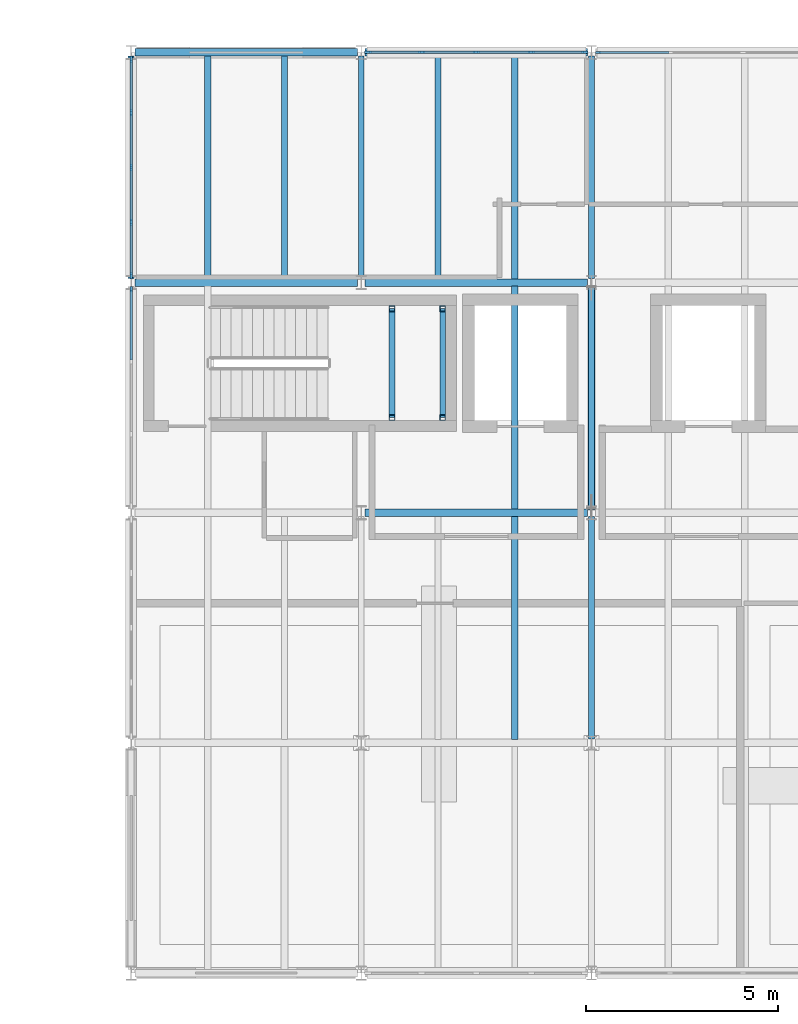
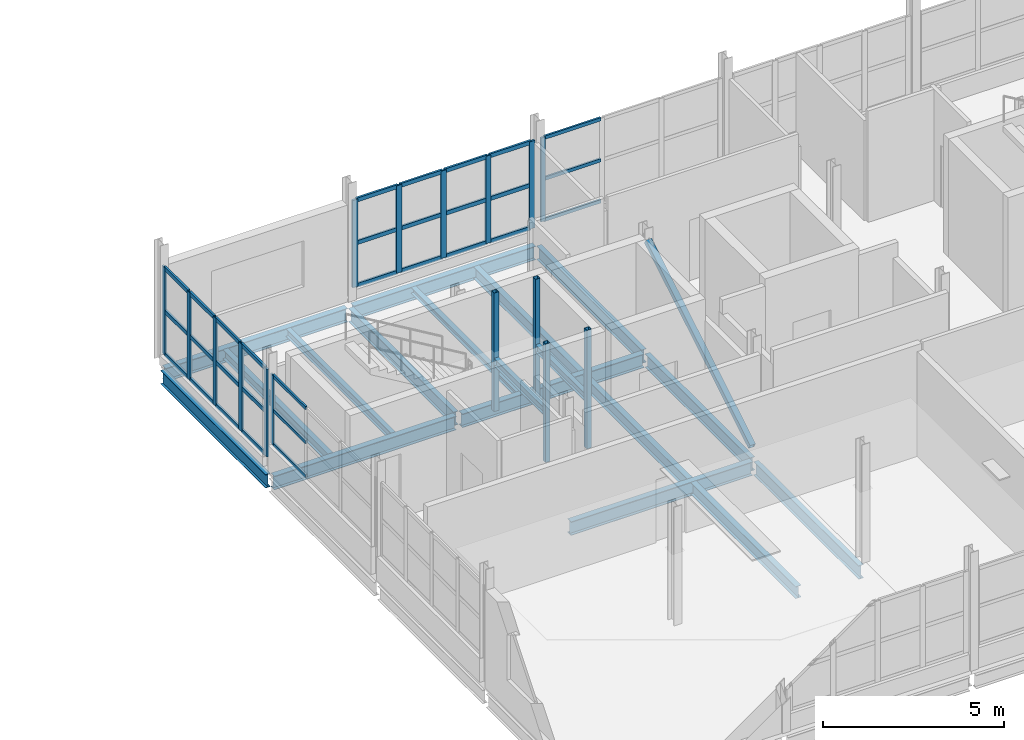
# One storey, part 7 of 23: 47 members, 18 beams, 4 elements without a shape of their own.
"""IFC4 building model written with IfcOpenShell, lengths in metres."""

from ifc_helpers import new_model, si_unit, direction, frame, origin, origin_2d, place, context, subcontext, project, spatial, rectangle, hollow_rectangle, i_section, extrude, material, material_profile, profile_set, type_object, element, aggregate, save


model = new_model("IFC4")

# Units and contexts
model_context = context("Model", 3, precision=1e-05, world=origin(), true_north=direction((0.0, 1.0)))
body_context = subcontext(model_context, "Body", "Model", "MODEL_VIEW")
ifc_project = project(units=[si_unit("LENGTHUNIT", "METRE"), si_unit("AREAUNIT", "SQUARE_METRE"), si_unit("VOLUMEUNIT", "CUBIC_METRE"), si_unit("PLANEANGLEUNIT", "RADIAN"), si_unit("MASSUNIT", "GRAM", prefix="KILO")], contexts=[model_context])

# Site, building, storey
site_placement = place(None, origin())
site = spatial("IfcSite", under=ifc_project, at=site_placement, CompositionType="ELEMENT")
building_placement = place(site_placement, origin())
building = spatial("IfcBuilding", under=site, at=building_placement, Name="Siltcreek Boulevard Central Fire Station", CompositionType="ELEMENT")
storey_placement = place(building_placement, frame((0.0, 0.0, 14.0)))
storey = spatial("IfcBuildingStorey", under=building, at=storey_placement, Name="L04", CompositionType="ELEMENT", Elevation=14.0)

# Beams
ifc_material_1 = material(Name="Structural steel ASTM A992 Gr50", Category="steel")
ifc_material_profile_1 = material_profile(ifc_material_1, i_section(OverallWidth=0.154052734375, OverallDepth=0.458984375, WebThickness=0.009033203125, FlangeThickness=0.015380859375, at=origin_2d()), Name="W460X68")
ifc_profile_set_1 = profile_set([ifc_material_profile_1], Name="Structural steel ASTM A992 Gr50")
beam_type_1 = type_object("IfcBeamType", Name="BM_W460X68", PredefinedType="BEAM", material=ifc_profile_set_1)
for number, where, z_axis, x_axis, name in (
    (1, (124.199951171875, 106.300048828125, -0.489501953125), (0.0, 1.0, 0.0), (-1.0, 0.0, 0.0), "L04 primary steel girder GY-0571"),
    (2, (130.199951171875, 106.300048828125, -0.489501953125), (0.0, 1.0, 0.0), (-1.0, 0.0, 0.0), "L04 primary steel girder GY-0574"),
    (3, (136.199951171875, 94.300048828125, -0.489501953125), (0.0, 1.0, 0.0), (-1.0, 0.0, 0.0), "L04 primary steel girder GY-0576"),
    (4, (136.199951171875, 100.300048828125, -0.489501953125), (0.0, 1.0, 0.0), (-1.0, 0.0, 0.0), "L04 primary steel girder GY-0577"),
    (5, (136.199951171875, 106.300048828125, -0.489501953125), (0.0, 1.0, 0.0), (-1.0, 0.0, 0.0), "L04 primary steel girder GY-0578"),
):
    element("IfcBeam", number, at=place(storey_placement, frame(where, z_axis=z_axis, x_axis=x_axis)), inside=storey, type_object=beam_type_1, Name=name, PredefinedType="BEAM", context=body_context, shape_type="SweptSolid", body=[
        extrude(i_section(OverallWidth=0.154052734375, OverallDepth=0.458984375, WebThickness=0.009033203125, FlangeThickness=0.015380859375, at=origin_2d()), origin(), (0.0, 0.0, 1.0), 5.800048828125),
    ])
ifc_material_profile_2 = material_profile(ifc_material_1, i_section(OverallWidth=0.19189453125, OverallDepth=0.462890625, WebThickness=0.010498046875, FlangeThickness=0.017578125, at=origin_2d()), Name="W460X89")
ifc_profile_set_2 = profile_set([ifc_material_profile_2], Name="Structural steel ASTM A992 Gr50")
beam_type_2 = type_object("IfcBeamType", Name="BM_W460X89", PredefinedType="BEAM", material=ifc_profile_set_2)
for number, where, z_axis, x_axis, name in (
    (6, (130.300048828125, 100.199951171875, -0.491455078125), (1.0, 0.0, 0.0), (0.0, 1.0, 0.0), "L04 primary steel girder GX-0551"),
    (7, (124.300048828125, 106.199951171875, -0.491455078125), (1.0, 0.0, 0.0), (0.0, 1.0, 0.0), "L04 primary steel girder GX-0556"),
    (8, (130.300048828125, 106.199951171875, -0.491455078125), (1.0, 0.0, 0.0), (0.0, 1.0, 0.0), "L04 primary steel girder GX-0557"),
    (9, (124.300048828125, 112.199951171875, -0.491455078125), (1.0, 0.0, 0.0), (0.0, 1.0, 0.0), "L04 primary steel girder GX-0562"),
    (10, (130.300048828125, 112.199951171875, -0.491455078125), (1.0, 0.0, 0.0), (0.0, 1.0, 0.0), "L04 primary steel girder GX-0563"),
):
    element("IfcBeam", number, at=place(storey_placement, frame(where, z_axis=z_axis, x_axis=x_axis)), inside=storey, type_object=beam_type_2, Name=name, PredefinedType="BEAM", context=body_context, shape_type="SweptSolid", body=[
        extrude(i_section(OverallWidth=0.19189453125, OverallDepth=0.462890625, WebThickness=0.010498046875, FlangeThickness=0.017578125, at=origin_2d()), origin(), (0.0, 0.0, 1.0), 5.800048828125),
    ])

# Members
ifc_material_2 = material(Name="Structural steel ASTM A500 GrC", Category="steel")
ifc_material_profile_3 = material_profile(ifc_material_2, hollow_rectangle(XDim=0.14990234375, YDim=0.14990234375, WallThickness=0.008056640625, at=origin_2d()), Name="HSS150X150X8.0")
ifc_profile_set_3 = profile_set([ifc_material_profile_3], Name="Structural steel ASTM A500 GrC")
member_type_1 = type_object("IfcMemberType", Name="BR_HSS150_8", PredefinedType="BRACE", material=ifc_profile_set_3)
for number, where, z_axis, x_axis, name in (
    (11, (131.0, 102.679931640625, 0.0), (0.0, 0.0, 1.0), (1.0, 0.0, 0.0), "L04 ST-V5A stair landing corner post SW"),
    (12, (131.0, 105.52001953125, 0.0), (0.0, 0.0, 1.0), (1.0, 0.0, 0.0), "L04 ST-V5A stair landing corner post NW"),
    (13, (132.320068359375, 102.679931640625, 0.0), (0.0, 0.0, 1.0), (1.0, 0.0, 0.0), "L04 ST-V5A stair landing corner post SE"),
    (14, (132.320068359375, 105.52001953125, 0.0), (0.0, 0.0, 1.0), (1.0, 0.0, 0.0), "L04 ST-V5A stair landing corner post NE"),
):
    element("IfcMember", number, at=place(storey_placement, frame(where, z_axis=z_axis, x_axis=x_axis)), inside=storey, type_object=member_type_1, Name=name, PredefinedType="BRACE", context=body_context, shape_type="SweptSolid", body=[
        extrude(hollow_rectangle(XDim=0.14990234375, YDim=0.14990234375, WallThickness=0.008056640625, at=origin_2d()), origin(), (0.0, 0.0, 1.0), 4.0),
    ])
ifc_material_profile_4 = material_profile(ifc_material_2, hollow_rectangle(XDim=0.179931640625, YDim=0.179931640625, WallThickness=0.008056640625, at=origin_2d()), Name="HSS180X180X8.0")
ifc_profile_set_4 = profile_set([ifc_material_profile_4], Name="Structural steel ASTM A500 GrC")
member_type_2 = type_object("IfcMemberType", Name="BR_HSS180", PredefinedType="BRACE", material=ifc_profile_set_4)
member_1_placement = place(storey_placement, frame((136.199951171875, 100.320068359375, 0.10009765625), z_axis=(0.0, 0.857890513261, 0.513832528415), x_axis=(-1.0, 0.0, 0.0)))
element("IfcMember", 15, at=member_1_placement, inside=storey, type_object=member_type_2, Name="L04 buckling-restrained brace BR-035", PredefinedType="BRACE", context=body_context, shape_type="SweptSolid", body=[
    extrude(hollow_rectangle(XDim=0.179931640625, YDim=0.179931640625, WallThickness=0.008056640625, at=origin_2d()), origin(), (0.0, 0.0, 1.0), 6.714111328125),
])

# Curtain wall, member
ifc_material_3 = material(Name="Anodized aluminum and low-E insulated glazing", Category="aluminium")
curtain_wall_type_1 = type_object("IfcCurtainWallType", Name="CW_SYS_20", PredefinedType="USERDEFINED", material=ifc_material_3)
curtain_wall_1_placement = place(storey_placement, origin())
curtain_wall_1 = element("IfcCurtainWall", 16, at=curtain_wall_1_placement, inside=storey, type_object=curtain_wall_type_1, Name="L04 V5 unitised curtain wall CW-169", ObjectType="CURTAIN WALL", PredefinedType="USERDEFINED")
ifc_material_4 = material(Name="Anodized 6063-T6 aluminum framing", Category="aluminium")
ifc_material_profile_5 = material_profile(ifc_material_4, rectangle(XDim=0.06005859375, YDim=0.14990234375, at=origin_2d()), Name="MULL60X150")
ifc_profile_set_5 = profile_set([ifc_material_profile_5], Name="Anodized 6063-T6 aluminum framing")
member_type_3 = type_object("IfcMemberType", Name="CWM_60X150", PredefinedType="MULLION", material=ifc_profile_set_5)
member_2_placement = place(storey_placement, frame((136.375, 112.199951171875, 0.43994140625), z_axis=(0.0, 0.0, 1.0), x_axis=(0.0, -1.0, 0.0)))
member_2 = element("IfcMember", 17, at=member_2_placement, type_object=member_type_3, Name="CW-169 mullion 4", PredefinedType="MULLION", context=body_context, shape_type="SweptSolid", body=[
    extrude(rectangle(XDim=0.06005859375, YDim=0.14990234375, at=origin_2d()), origin(), (0.0, 0.0, 1.0), 2.8291015625),
])

curtain_wall_type_2 = type_object("IfcCurtainWallType", Name="CW_SYS_24", PredefinedType="USERDEFINED", material=ifc_material_3)
curtain_wall_2_placement = place(storey_placement, origin())
curtain_wall_2 = element("IfcCurtainWall", 18, at=curtain_wall_2_placement, inside=storey, type_object=curtain_wall_type_2, Name="L04 V5 unitised curtain wall CW-173", ObjectType="CURTAIN WALL", PredefinedType="USERDEFINED")
member_3_placement = place(storey_placement, frame((124.199951171875, 106.02490234375, 0.919921875), z_axis=(0.0, 0.0, 1.0), x_axis=(1.0, 0.0, 0.0)))
member_3 = element("IfcMember", 19, at=member_3_placement, type_object=member_type_3, Name="CW-173 mullion 1", PredefinedType="MULLION", context=body_context, shape_type="SweptSolid", body=[
    extrude(rectangle(XDim=0.06005859375, YDim=0.14990234375, at=origin_2d()), origin(), (0.0, 0.0, 1.0), 2.35302734375),
])

# Curtain wall, members
curtain_wall_type_3 = type_object("IfcCurtainWallType", Name="CW_SYS_19", PredefinedType="USERDEFINED", material=ifc_material_3)
curtain_wall_3_placement = place(storey_placement, origin())
curtain_wall_3 = element("IfcCurtainWall", 20, at=curtain_wall_3_placement, inside=storey, type_object=curtain_wall_type_3, Name="L04 V5 unitised curtain wall CW-168", ObjectType="CURTAIN WALL", PredefinedType="USERDEFINED")
ifc_material_profile_6 = material_profile(ifc_material_4, rectangle(XDim=0.06494140625, YDim=0.175048828125, at=origin_2d()), Name="MULL65X175")
ifc_profile_set_6 = profile_set([ifc_material_profile_6], Name="Anodized 6063-T6 aluminum framing")
member_type_4 = type_object("IfcMemberType", Name="CWM_65X175", PredefinedType="MULLION", material=ifc_profile_set_6)
member_4_placement = place(storey_placement, frame((136.0224609375, 112.199951171875, 0.320068359375), z_axis=(0.0, 0.0, 1.0), x_axis=(0.0, -1.0, 0.0)))
member_4 = element("IfcMember", 21, at=member_4_placement, type_object=member_type_4, Name="CW-168 mullion 1", PredefinedType="MULLION", context=body_context, shape_type="SweptSolid", body=[
    extrude(rectangle(XDim=0.06494140625, YDim=0.175048828125, at=origin_2d()), origin(), (0.0, 0.0, 1.0), 2.948974609375),
])
member_5_placement = place(storey_placement, frame((134.62744140625, 112.199951171875, 0.320068359375), z_axis=(0.0, 0.0, 1.0), x_axis=(0.0, -1.0, 0.0)))
member_5 = element("IfcMember", 22, at=member_5_placement, type_object=member_type_4, Name="CW-168 mullion 2", PredefinedType="MULLION", context=body_context, shape_type="SweptSolid", body=[
    extrude(rectangle(XDim=0.06494140625, YDim=0.175048828125, at=origin_2d()), origin(), (0.0, 0.0, 1.0), 2.948974609375),
])
member_6_placement = place(storey_placement, frame((133.199951171875, 112.199951171875, 0.320068359375), z_axis=(0.0, 0.0, 1.0), x_axis=(0.0, -1.0, 0.0)))
member_6 = element("IfcMember", 23, at=member_6_placement, type_object=member_type_4, Name="CW-168 mullion 3", PredefinedType="MULLION", context=body_context, shape_type="SweptSolid", body=[
    extrude(rectangle(XDim=0.06494140625, YDim=0.175048828125, at=origin_2d()), origin(), (0.0, 0.0, 1.0), 2.948974609375),
])
member_7_placement = place(storey_placement, frame((131.7724609375, 112.199951171875, 0.320068359375), z_axis=(0.0, 0.0, 1.0), x_axis=(0.0, -1.0, 0.0)))
member_7 = element("IfcMember", 24, at=member_7_placement, type_object=member_type_4, Name="CW-168 mullion 4", PredefinedType="MULLION", context=body_context, shape_type="SweptSolid", body=[
    extrude(rectangle(XDim=0.06494140625, YDim=0.175048828125, at=origin_2d()), origin(), (0.0, 0.0, 1.0), 2.948974609375),
])
member_8_placement = place(storey_placement, frame((130.37744140625, 112.199951171875, 0.320068359375), z_axis=(0.0, 0.0, 1.0), x_axis=(0.0, -1.0, 0.0)))
member_8 = element("IfcMember", 25, at=member_8_placement, type_object=member_type_4, Name="CW-168 mullion 5", PredefinedType="MULLION", context=body_context, shape_type="SweptSolid", body=[
    extrude(rectangle(XDim=0.06494140625, YDim=0.175048828125, at=origin_2d()), origin(), (0.0, 0.0, 1.0), 2.948974609375),
])

curtain_wall_type_4 = type_object("IfcCurtainWallType", Name="CW_SYS_25", PredefinedType="USERDEFINED", material=ifc_material_3)
curtain_wall_4_placement = place(storey_placement, origin())
curtain_wall_4 = element("IfcCurtainWall", 26, at=curtain_wall_4_placement, inside=storey, type_object=curtain_wall_type_4, Name="L04 V5 unitised curtain wall CW-174", ObjectType="CURTAIN WALL", PredefinedType="USERDEFINED")
member_9_placement = place(storey_placement, frame((124.199951171875, 112.0224609375, 0.320068359375), z_axis=(0.0, 0.0, 1.0), x_axis=(1.0, 0.0, 0.0)))
member_9 = element("IfcMember", 27, at=member_9_placement, type_object=member_type_4, Name="CW-174 mullion 1", PredefinedType="MULLION", context=body_context, shape_type="SweptSolid", body=[
    extrude(rectangle(XDim=0.06494140625, YDim=0.175048828125, at=origin_2d()), origin(), (0.0, 0.0, 1.0), 2.952880859375),
])
member_10_placement = place(storey_placement, frame((124.199951171875, 110.62744140625, 0.320068359375), z_axis=(0.0, 0.0, 1.0), x_axis=(1.0, 0.0, 0.0)))
member_10 = element("IfcMember", 28, at=member_10_placement, type_object=member_type_4, Name="CW-174 mullion 2", PredefinedType="MULLION", context=body_context, shape_type="SweptSolid", body=[
    extrude(rectangle(XDim=0.06494140625, YDim=0.175048828125, at=origin_2d()), origin(), (0.0, 0.0, 1.0), 2.952880859375),
])
member_11_placement = place(storey_placement, frame((124.199951171875, 109.199951171875, 0.320068359375), z_axis=(0.0, 0.0, 1.0), x_axis=(1.0, 0.0, 0.0)))
member_11 = element("IfcMember", 29, at=member_11_placement, type_object=member_type_4, Name="CW-174 mullion 3", PredefinedType="MULLION", context=body_context, shape_type="SweptSolid", body=[
    extrude(rectangle(XDim=0.06494140625, YDim=0.175048828125, at=origin_2d()), origin(), (0.0, 0.0, 1.0), 2.952880859375),
])
member_12_placement = place(storey_placement, frame((124.199951171875, 107.7724609375, 0.320068359375), z_axis=(0.0, 0.0, 1.0), x_axis=(1.0, 0.0, 0.0)))
member_12 = element("IfcMember", 30, at=member_12_placement, type_object=member_type_4, Name="CW-174 mullion 4", PredefinedType="MULLION", context=body_context, shape_type="SweptSolid", body=[
    extrude(rectangle(XDim=0.06494140625, YDim=0.175048828125, at=origin_2d()), origin(), (0.0, 0.0, 1.0), 2.952880859375),
])
member_13_placement = place(storey_placement, frame((124.199951171875, 106.37744140625, 0.320068359375), z_axis=(0.0, 0.0, 1.0), x_axis=(1.0, 0.0, 0.0)))
member_13 = element("IfcMember", 31, at=member_13_placement, type_object=member_type_4, Name="CW-174 mullion 5", PredefinedType="MULLION", context=body_context, shape_type="SweptSolid", body=[
    extrude(rectangle(XDim=0.06494140625, YDim=0.175048828125, at=origin_2d()), origin(), (0.0, 0.0, 1.0), 2.952880859375),
])

# Member
ifc_material_profile_7 = material_profile(ifc_material_4, rectangle(XDim=0.06005859375, YDim=0.114990234375, at=origin_2d()), Name="TRAN60X115")
ifc_profile_set_7 = profile_set([ifc_material_profile_7], Name="Anodized 6063-T6 aluminum framing")
member_type_5 = type_object("IfcMemberType", Name="CWT_60X115", PredefinedType="USERDEFINED", material=ifc_profile_set_7)
member_14_placement = place(storey_placement, frame((138.21826171875, 112.199951171875, 0.469970703125), z_axis=(-1.0, 0.0, 0.0), x_axis=(0.0, -1.0, 0.0)))
member_14 = element("IfcMember", 32, at=member_14_placement, type_object=member_type_5, Name="CW-169 transom 3.1", ObjectType="TRANSOM", PredefinedType="USERDEFINED", context=body_context, shape_type="SweptSolid", body=[
    extrude(rectangle(XDim=0.06005859375, YDim=0.114990234375, at=origin_2d()), origin(), (0.0, 0.0, 1.0), 1.813232421875),
])

member_15_placement = place(storey_placement, frame((138.21826171875, 112.199951171875, 1.8544921875), z_axis=(-1.0, 0.0, 0.0), x_axis=(0.0, -1.0, 0.0)))
member_15 = element("IfcMember", 33, at=member_15_placement, type_object=member_type_5, Name="CW-169 transom 3.2", ObjectType="TRANSOM", PredefinedType="USERDEFINED", context=body_context, shape_type="SweptSolid", body=[
    extrude(rectangle(XDim=0.06005859375, YDim=0.114990234375, at=origin_2d()), origin(), (0.0, 0.0, 1.0), 1.813232421875),
])

member_16_placement = place(storey_placement, frame((138.21826171875, 112.199951171875, 3.239013671875), z_axis=(-1.0, 0.0, 0.0), x_axis=(0.0, -1.0, 0.0)))
member_16 = element("IfcMember", 34, at=member_16_placement, type_object=member_type_5, Name="CW-169 transom 3.3", ObjectType="TRANSOM", PredefinedType="USERDEFINED", context=body_context, shape_type="SweptSolid", body=[
    extrude(rectangle(XDim=0.06005859375, YDim=0.114990234375, at=origin_2d()), origin(), (0.0, 0.0, 1.0), 1.813232421875),
])

aggregate(curtain_wall_1, [member_2, member_14, member_15, member_16])

member_17_placement = place(storey_placement, frame((124.199951171875, 105.9951171875, 0.949951171875), z_axis=(0.0, -1.0, 0.0), x_axis=(1.0, 0.0, 0.0)))
member_17 = element("IfcMember", 35, at=member_17_placement, type_object=member_type_5, Name="CW-173 transom 1.1", ObjectType="TRANSOM", PredefinedType="USERDEFINED", context=body_context, shape_type="SweptSolid", body=[
    extrude(rectangle(XDim=0.06005859375, YDim=0.114990234375, at=origin_2d()), origin(), (0.0, 0.0, 1.0), 1.8134765625),
])

member_18_placement = place(storey_placement, frame((124.199951171875, 105.9951171875, 2.096435546875), z_axis=(0.0, -1.0, 0.0), x_axis=(1.0, 0.0, 0.0)))
member_18 = element("IfcMember", 36, at=member_18_placement, type_object=member_type_5, Name="CW-173 transom 1.2", ObjectType="TRANSOM", PredefinedType="USERDEFINED", context=body_context, shape_type="SweptSolid", body=[
    extrude(rectangle(XDim=0.06005859375, YDim=0.114990234375, at=origin_2d()), origin(), (0.0, 0.0, 1.0), 1.8134765625),
])

member_19_placement = place(storey_placement, frame((124.199951171875, 105.9951171875, 3.242919921875), z_axis=(0.0, -1.0, 0.0), x_axis=(1.0, 0.0, 0.0)))
member_19 = element("IfcMember", 37, at=member_19_placement, type_object=member_type_5, Name="CW-173 transom 1.3", ObjectType="TRANSOM", PredefinedType="USERDEFINED", context=body_context, shape_type="SweptSolid", body=[
    extrude(rectangle(XDim=0.06005859375, YDim=0.114990234375, at=origin_2d()), origin(), (0.0, 0.0, 1.0), 1.8134765625),
])

aggregate(curtain_wall_2, [member_3, member_17, member_18, member_19])

ifc_material_profile_8 = material_profile(ifc_material_4, rectangle(XDim=0.06494140625, YDim=0.135009765625, at=origin_2d()), Name="TRAN65X135")
ifc_profile_set_8 = profile_set([ifc_material_profile_8], Name="Anodized 6063-T6 aluminum framing")
member_type_6 = type_object("IfcMemberType", Name="CWT_65X135", PredefinedType="USERDEFINED", material=ifc_profile_set_8)
member_20_placement = place(storey_placement, frame((135.989990234375, 112.199951171875, 0.3525390625), z_axis=(-1.0, 0.0, 0.0), x_axis=(0.0, -1.0, 0.0)))
member_20 = element("IfcMember", 38, at=member_20_placement, type_object=member_type_6, Name="CW-168 transom 1.1", ObjectType="TRANSOM", PredefinedType="USERDEFINED", context=body_context, shape_type="SweptSolid", body=[
    extrude(rectangle(XDim=0.06494140625, YDim=0.135009765625, at=origin_2d()), origin(), (0.0, 0.0, 1.0), 1.330078125),
])

member_21_placement = place(storey_placement, frame((135.989990234375, 112.199951171875, 1.79443359375), z_axis=(-1.0, 0.0, 0.0), x_axis=(0.0, -1.0, 0.0)))
member_21 = element("IfcMember", 39, at=member_21_placement, type_object=member_type_6, Name="CW-168 transom 1.2", ObjectType="TRANSOM", PredefinedType="USERDEFINED", context=body_context, shape_type="SweptSolid", body=[
    extrude(rectangle(XDim=0.06494140625, YDim=0.135009765625, at=origin_2d()), origin(), (0.0, 0.0, 1.0), 1.330078125),
])

member_22_placement = place(storey_placement, frame((135.989990234375, 112.199951171875, 3.236572265625), z_axis=(-1.0, 0.0, 0.0), x_axis=(0.0, -1.0, 0.0)))
member_22 = element("IfcMember", 40, at=member_22_placement, type_object=member_type_6, Name="CW-168 transom 1.3", ObjectType="TRANSOM", PredefinedType="USERDEFINED", context=body_context, shape_type="SweptSolid", body=[
    extrude(rectangle(XDim=0.06494140625, YDim=0.135009765625, at=origin_2d()), origin(), (0.0, 0.0, 1.0), 1.330078125),
])

member_23_placement = place(storey_placement, frame((134.594970703125, 112.199951171875, 0.3525390625), z_axis=(-1.0, 0.0, 0.0), x_axis=(0.0, -1.0, 0.0)))
member_23 = element("IfcMember", 41, at=member_23_placement, type_object=member_type_6, Name="CW-168 transom 2.1", ObjectType="TRANSOM", PredefinedType="USERDEFINED", context=body_context, shape_type="SweptSolid", body=[
    extrude(rectangle(XDim=0.06494140625, YDim=0.135009765625, at=origin_2d()), origin(), (0.0, 0.0, 1.0), 1.362548828125),
])

member_24_placement = place(storey_placement, frame((134.594970703125, 112.199951171875, 1.79443359375), z_axis=(-1.0, 0.0, 0.0), x_axis=(0.0, -1.0, 0.0)))
member_24 = element("IfcMember", 42, at=member_24_placement, type_object=member_type_6, Name="CW-168 transom 2.2", ObjectType="TRANSOM", PredefinedType="USERDEFINED", context=body_context, shape_type="SweptSolid", body=[
    extrude(rectangle(XDim=0.06494140625, YDim=0.135009765625, at=origin_2d()), origin(), (0.0, 0.0, 1.0), 1.362548828125),
])

member_25_placement = place(storey_placement, frame((134.594970703125, 112.199951171875, 3.236572265625), z_axis=(-1.0, 0.0, 0.0), x_axis=(0.0, -1.0, 0.0)))
member_25 = element("IfcMember", 43, at=member_25_placement, type_object=member_type_6, Name="CW-168 transom 2.3", ObjectType="TRANSOM", PredefinedType="USERDEFINED", context=body_context, shape_type="SweptSolid", body=[
    extrude(rectangle(XDim=0.06494140625, YDim=0.135009765625, at=origin_2d()), origin(), (0.0, 0.0, 1.0), 1.362548828125),
])

member_26_placement = place(storey_placement, frame((133.16748046875, 112.199951171875, 0.3525390625), z_axis=(-1.0, 0.0, 0.0), x_axis=(0.0, -1.0, 0.0)))
member_26 = element("IfcMember", 44, at=member_26_placement, type_object=member_type_6, Name="CW-168 transom 3.1", ObjectType="TRANSOM", PredefinedType="USERDEFINED", context=body_context, shape_type="SweptSolid", body=[
    extrude(rectangle(XDim=0.06494140625, YDim=0.135009765625, at=origin_2d()), origin(), (0.0, 0.0, 1.0), 1.362548828125),
])

member_27_placement = place(storey_placement, frame((133.16748046875, 112.199951171875, 1.79443359375), z_axis=(-1.0, 0.0, 0.0), x_axis=(0.0, -1.0, 0.0)))
member_27 = element("IfcMember", 45, at=member_27_placement, type_object=member_type_6, Name="CW-168 transom 3.2", ObjectType="TRANSOM", PredefinedType="USERDEFINED", context=body_context, shape_type="SweptSolid", body=[
    extrude(rectangle(XDim=0.06494140625, YDim=0.135009765625, at=origin_2d()), origin(), (0.0, 0.0, 1.0), 1.362548828125),
])

member_28_placement = place(storey_placement, frame((133.16748046875, 112.199951171875, 3.236572265625), z_axis=(-1.0, 0.0, 0.0), x_axis=(0.0, -1.0, 0.0)))
member_28 = element("IfcMember", 46, at=member_28_placement, type_object=member_type_6, Name="CW-168 transom 3.3", ObjectType="TRANSOM", PredefinedType="USERDEFINED", context=body_context, shape_type="SweptSolid", body=[
    extrude(rectangle(XDim=0.06494140625, YDim=0.135009765625, at=origin_2d()), origin(), (0.0, 0.0, 1.0), 1.362548828125),
])

member_29_placement = place(storey_placement, frame((131.739990234375, 112.199951171875, 0.3525390625), z_axis=(-1.0, 0.0, 0.0), x_axis=(0.0, -1.0, 0.0)))
member_29 = element("IfcMember", 47, at=member_29_placement, type_object=member_type_6, Name="CW-168 transom 4.1", ObjectType="TRANSOM", PredefinedType="USERDEFINED", context=body_context, shape_type="SweptSolid", body=[
    extrude(rectangle(XDim=0.06494140625, YDim=0.135009765625, at=origin_2d()), origin(), (0.0, 0.0, 1.0), 1.330078125),
])

member_30_placement = place(storey_placement, frame((131.739990234375, 112.199951171875, 1.79443359375), z_axis=(-1.0, 0.0, 0.0), x_axis=(0.0, -1.0, 0.0)))
member_30 = element("IfcMember", 48, at=member_30_placement, type_object=member_type_6, Name="CW-168 transom 4.2", ObjectType="TRANSOM", PredefinedType="USERDEFINED", context=body_context, shape_type="SweptSolid", body=[
    extrude(rectangle(XDim=0.06494140625, YDim=0.135009765625, at=origin_2d()), origin(), (0.0, 0.0, 1.0), 1.330078125),
])

member_31_placement = place(storey_placement, frame((131.739990234375, 112.199951171875, 3.236572265625), z_axis=(-1.0, 0.0, 0.0), x_axis=(0.0, -1.0, 0.0)))
member_31 = element("IfcMember", 49, at=member_31_placement, type_object=member_type_6, Name="CW-168 transom 4.3", ObjectType="TRANSOM", PredefinedType="USERDEFINED", context=body_context, shape_type="SweptSolid", body=[
    extrude(rectangle(XDim=0.06494140625, YDim=0.135009765625, at=origin_2d()), origin(), (0.0, 0.0, 1.0), 1.330078125),
])

aggregate(curtain_wall_3, [member_4, member_5, member_6, member_7, member_8, member_20, member_21, member_22, member_23, member_24, member_25, member_26, member_27, member_28, member_29, member_30, member_31])

member_32_placement = place(storey_placement, frame((124.199951171875, 111.989990234375, 0.3525390625), z_axis=(0.0, -1.0, 0.0), x_axis=(1.0, 0.0, 0.0)))
member_32 = element("IfcMember", 50, at=member_32_placement, type_object=member_type_6, Name="CW-174 transom 1.1", ObjectType="TRANSOM", PredefinedType="USERDEFINED", context=body_context, shape_type="SweptSolid", body=[
    extrude(rectangle(XDim=0.06494140625, YDim=0.135009765625, at=origin_2d()), origin(), (0.0, 0.0, 1.0), 1.330078125),
])

member_33_placement = place(storey_placement, frame((124.199951171875, 111.989990234375, 1.79638671875), z_axis=(0.0, -1.0, 0.0), x_axis=(1.0, 0.0, 0.0)))
member_33 = element("IfcMember", 51, at=member_33_placement, type_object=member_type_6, Name="CW-174 transom 1.2", ObjectType="TRANSOM", PredefinedType="USERDEFINED", context=body_context, shape_type="SweptSolid", body=[
    extrude(rectangle(XDim=0.06494140625, YDim=0.135009765625, at=origin_2d()), origin(), (0.0, 0.0, 1.0), 1.330078125),
])

member_34_placement = place(storey_placement, frame((124.199951171875, 111.989990234375, 3.240478515625), z_axis=(0.0, -1.0, 0.0), x_axis=(1.0, 0.0, 0.0)))
member_34 = element("IfcMember", 52, at=member_34_placement, type_object=member_type_6, Name="CW-174 transom 1.3", ObjectType="TRANSOM", PredefinedType="USERDEFINED", context=body_context, shape_type="SweptSolid", body=[
    extrude(rectangle(XDim=0.06494140625, YDim=0.135009765625, at=origin_2d()), origin(), (0.0, 0.0, 1.0), 1.330078125),
])

member_35_placement = place(storey_placement, frame((124.199951171875, 110.594970703125, 0.3525390625), z_axis=(0.0, -1.0, 0.0), x_axis=(1.0, 0.0, 0.0)))
member_35 = element("IfcMember", 53, at=member_35_placement, type_object=member_type_6, Name="CW-174 transom 2.1", ObjectType="TRANSOM", PredefinedType="USERDEFINED", context=body_context, shape_type="SweptSolid", body=[
    extrude(rectangle(XDim=0.06494140625, YDim=0.135009765625, at=origin_2d()), origin(), (0.0, 0.0, 1.0), 1.362548828125),
])

member_36_placement = place(storey_placement, frame((124.199951171875, 110.594970703125, 1.79638671875), z_axis=(0.0, -1.0, 0.0), x_axis=(1.0, 0.0, 0.0)))
member_36 = element("IfcMember", 54, at=member_36_placement, type_object=member_type_6, Name="CW-174 transom 2.2", ObjectType="TRANSOM", PredefinedType="USERDEFINED", context=body_context, shape_type="SweptSolid", body=[
    extrude(rectangle(XDim=0.06494140625, YDim=0.135009765625, at=origin_2d()), origin(), (0.0, 0.0, 1.0), 1.362548828125),
])

member_37_placement = place(storey_placement, frame((124.199951171875, 110.594970703125, 3.240478515625), z_axis=(0.0, -1.0, 0.0), x_axis=(1.0, 0.0, 0.0)))
member_37 = element("IfcMember", 55, at=member_37_placement, type_object=member_type_6, Name="CW-174 transom 2.3", ObjectType="TRANSOM", PredefinedType="USERDEFINED", context=body_context, shape_type="SweptSolid", body=[
    extrude(rectangle(XDim=0.06494140625, YDim=0.135009765625, at=origin_2d()), origin(), (0.0, 0.0, 1.0), 1.362548828125),
])

member_38_placement = place(storey_placement, frame((124.199951171875, 109.16748046875, 0.3525390625), z_axis=(0.0, -1.0, 0.0), x_axis=(1.0, 0.0, 0.0)))
member_38 = element("IfcMember", 56, at=member_38_placement, type_object=member_type_6, Name="CW-174 transom 3.1", ObjectType="TRANSOM", PredefinedType="USERDEFINED", context=body_context, shape_type="SweptSolid", body=[
    extrude(rectangle(XDim=0.06494140625, YDim=0.135009765625, at=origin_2d()), origin(), (0.0, 0.0, 1.0), 1.362548828125),
])

member_39_placement = place(storey_placement, frame((124.199951171875, 109.16748046875, 1.79638671875), z_axis=(0.0, -1.0, 0.0), x_axis=(1.0, 0.0, 0.0)))
member_39 = element("IfcMember", 57, at=member_39_placement, type_object=member_type_6, Name="CW-174 transom 3.2", ObjectType="TRANSOM", PredefinedType="USERDEFINED", context=body_context, shape_type="SweptSolid", body=[
    extrude(rectangle(XDim=0.06494140625, YDim=0.135009765625, at=origin_2d()), origin(), (0.0, 0.0, 1.0), 1.362548828125),
])

member_40_placement = place(storey_placement, frame((124.199951171875, 109.16748046875, 3.240478515625), z_axis=(0.0, -1.0, 0.0), x_axis=(1.0, 0.0, 0.0)))
member_40 = element("IfcMember", 58, at=member_40_placement, type_object=member_type_6, Name="CW-174 transom 3.3", ObjectType="TRANSOM", PredefinedType="USERDEFINED", context=body_context, shape_type="SweptSolid", body=[
    extrude(rectangle(XDim=0.06494140625, YDim=0.135009765625, at=origin_2d()), origin(), (0.0, 0.0, 1.0), 1.362548828125),
])

member_41_placement = place(storey_placement, frame((124.199951171875, 107.739990234375, 0.3525390625), z_axis=(0.0, -1.0, 0.0), x_axis=(1.0, 0.0, 0.0)))
member_41 = element("IfcMember", 59, at=member_41_placement, type_object=member_type_6, Name="CW-174 transom 4.1", ObjectType="TRANSOM", PredefinedType="USERDEFINED", context=body_context, shape_type="SweptSolid", body=[
    extrude(rectangle(XDim=0.06494140625, YDim=0.135009765625, at=origin_2d()), origin(), (0.0, 0.0, 1.0), 1.330078125),
])

member_42_placement = place(storey_placement, frame((124.199951171875, 107.739990234375, 1.79638671875), z_axis=(0.0, -1.0, 0.0), x_axis=(1.0, 0.0, 0.0)))
member_42 = element("IfcMember", 60, at=member_42_placement, type_object=member_type_6, Name="CW-174 transom 4.2", ObjectType="TRANSOM", PredefinedType="USERDEFINED", context=body_context, shape_type="SweptSolid", body=[
    extrude(rectangle(XDim=0.06494140625, YDim=0.135009765625, at=origin_2d()), origin(), (0.0, 0.0, 1.0), 1.330078125),
])

member_43_placement = place(storey_placement, frame((124.199951171875, 107.739990234375, 3.240478515625), z_axis=(0.0, -1.0, 0.0), x_axis=(1.0, 0.0, 0.0)))
member_43 = element("IfcMember", 61, at=member_43_placement, type_object=member_type_6, Name="CW-174 transom 4.3", ObjectType="TRANSOM", PredefinedType="USERDEFINED", context=body_context, shape_type="SweptSolid", body=[
    extrude(rectangle(XDim=0.06494140625, YDim=0.135009765625, at=origin_2d()), origin(), (0.0, 0.0, 1.0), 1.330078125),
])

aggregate(curtain_wall_4, [member_9, member_10, member_11, member_12, member_13, member_32, member_33, member_34, member_35, member_36, member_37, member_38, member_39, member_40, member_41, member_42, member_43])

# Beams
ifc_material_profile_9 = material_profile(ifc_material_1, i_section(OverallWidth=0.1650390625, OverallDepth=0.200927734375, WebThickness=0.006103515625, FlangeThickness=0.01025390625, at=origin_2d()), Name="W200X36")
ifc_profile_set_9 = profile_set([ifc_material_profile_9], Name="Structural steel ASTM A992 Gr50")
beam_type_3 = type_object("IfcBeamType", Name="JST_W200X36", PredefinedType="JOIST", material=ifc_profile_set_9)
beam_1_placement = place(storey_placement, frame((132.199951171875, 106.2939453125, -0.360595703125), z_axis=(0.0, 1.0, 0.0), x_axis=(-1.0, 0.0, 0.0)))
element("IfcBeam", 62, at=beam_1_placement, inside=storey, type_object=beam_type_3, Name="L04 secondary steel floor joist 0495", PredefinedType="JOIST", context=body_context, shape_type="SweptSolid", body=[
    extrude(i_section(OverallWidth=0.1650390625, OverallDepth=0.200927734375, WebThickness=0.006103515625, FlangeThickness=0.01025390625, at=origin_2d()), origin(), (0.0, 0.0, 1.0), 5.81201171875),
])
ifc_material_profile_10 = material_profile(ifc_material_1, i_section(OverallWidth=0.14697265625, OverallDepth=0.261962890625, WebThickness=0.006591796875, FlangeThickness=0.01123046875, at=origin_2d()), Name="W250X39")
ifc_profile_set_10 = profile_set([ifc_material_profile_10], Name="Structural steel ASTM A992 Gr50")
beam_type_4 = type_object("IfcBeamType", Name="JST_W250X39", PredefinedType="JOIST", material=ifc_profile_set_10)
beam_2_placement = place(storey_placement, frame((128.199951171875, 106.2939453125, -0.39111328125), z_axis=(0.0, 1.0, 0.0), x_axis=(-1.0, 0.0, 0.0)))
element("IfcBeam", 63, at=beam_2_placement, inside=storey, type_object=beam_type_4, Name="L04 secondary steel floor joist 0494", PredefinedType="JOIST", context=body_context, shape_type="SweptSolid", body=[
    extrude(i_section(OverallWidth=0.14697265625, OverallDepth=0.261962890625, WebThickness=0.006591796875, FlangeThickness=0.01123046875, at=origin_2d()), origin(), (0.0, 0.0, 1.0), 5.81201171875),
])
for number, where, z_axis, x_axis, name in (
    (64, (131.0, 102.679931640625, 1.6689453125), (0.0, 1.0, 0.0), (-1.0, 0.0, 0.0), "L04 ST-V5A stair landing bearer MIDW"),
    (65, (132.320068359375, 102.679931640625, 1.6689453125), (0.0, 1.0, 0.0), (-1.0, 0.0, 0.0), "L04 ST-V5A stair landing bearer MIDE"),
):
    element("IfcBeam", number, at=place(storey_placement, frame(where, z_axis=z_axis, x_axis=x_axis)), inside=storey, type_object=beam_type_4, Name=name, PredefinedType="JOIST", context=body_context, shape_type="SweptSolid", body=[
        extrude(i_section(OverallWidth=0.14697265625, OverallDepth=0.261962890625, WebThickness=0.006591796875, FlangeThickness=0.01123046875, at=origin_2d()), origin(), (0.0, 0.0, 1.0), 2.840087890625),
    ])
ifc_material_profile_11 = material_profile(ifc_material_1, i_section(OverallWidth=0.166015625, OverallDepth=0.31298828125, WebThickness=0.006591796875, FlangeThickness=0.01123046875, at=origin_2d()), Name="W310X45")
ifc_profile_set_11 = profile_set([ifc_material_profile_11], Name="Structural steel ASTM A992 Gr50")
beam_type_5 = type_object("IfcBeamType", Name="JST_W310X45", PredefinedType="JOIST", material=ifc_profile_set_11)
beam_3_placement = place(storey_placement, frame((126.199951171875, 106.2939453125, -0.41650390625), z_axis=(0.0, 1.0, 0.0), x_axis=(-1.0, 0.0, 0.0)))
element("IfcBeam", 66, at=beam_3_placement, inside=storey, type_object=beam_type_5, Name="L04 secondary steel floor joist 0493", PredefinedType="JOIST", context=body_context, shape_type="SweptSolid", body=[
    extrude(i_section(OverallWidth=0.166015625, OverallDepth=0.31298828125, WebThickness=0.006591796875, FlangeThickness=0.01123046875, at=origin_2d()), origin(), (0.0, 0.0, 1.0), 5.81201171875),
])
ifc_material_profile_12 = material_profile(ifc_material_1, i_section(OverallWidth=0.177001953125, OverallDepth=0.403076171875, WebThickness=0.007568359375, FlangeThickness=0.010986328125, at=origin_2d()), Name="W410X53")
ifc_profile_set_12 = profile_set([ifc_material_profile_12], Name="Structural steel ASTM A992 Gr50")
beam_type_6 = type_object("IfcBeamType", Name="JST_W410X53", PredefinedType="JOIST", material=ifc_profile_set_12)
for number, where, z_axis, x_axis, name in (
    (67, (134.199951171875, 94.2939453125, -0.46142578125), (0.0, 1.0, 0.0), (-1.0, 0.0, 0.0), "L04 secondary steel floor joist 0476"),
    (68, (134.199951171875, 100.2939453125, -0.46142578125), (0.0, 1.0, 0.0), (-1.0, 0.0, 0.0), "L04 secondary steel floor joist 0486"),
    (69, (134.199951171875, 106.2939453125, -0.46142578125), (0.0, 1.0, 0.0), (-1.0, 0.0, 0.0), "L04 secondary steel floor joist 0496"),
):
    element("IfcBeam", number, at=place(storey_placement, frame(where, z_axis=z_axis, x_axis=x_axis)), inside=storey, type_object=beam_type_6, Name=name, PredefinedType="JOIST", context=body_context, shape_type="SweptSolid", body=[
        extrude(i_section(OverallWidth=0.177001953125, OverallDepth=0.403076171875, WebThickness=0.007568359375, FlangeThickness=0.010986328125, at=origin_2d()), origin(), (0.0, 0.0, 1.0), 5.81201171875),
    ])

save(model, "model.ifc")
